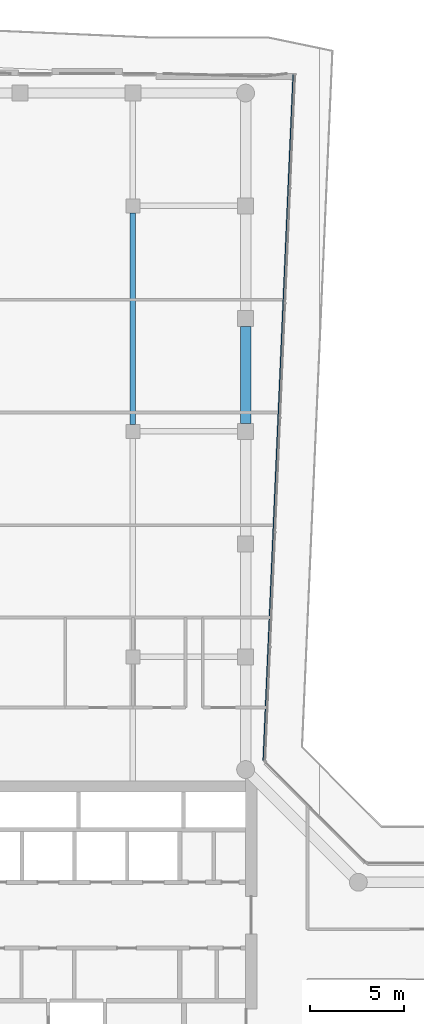
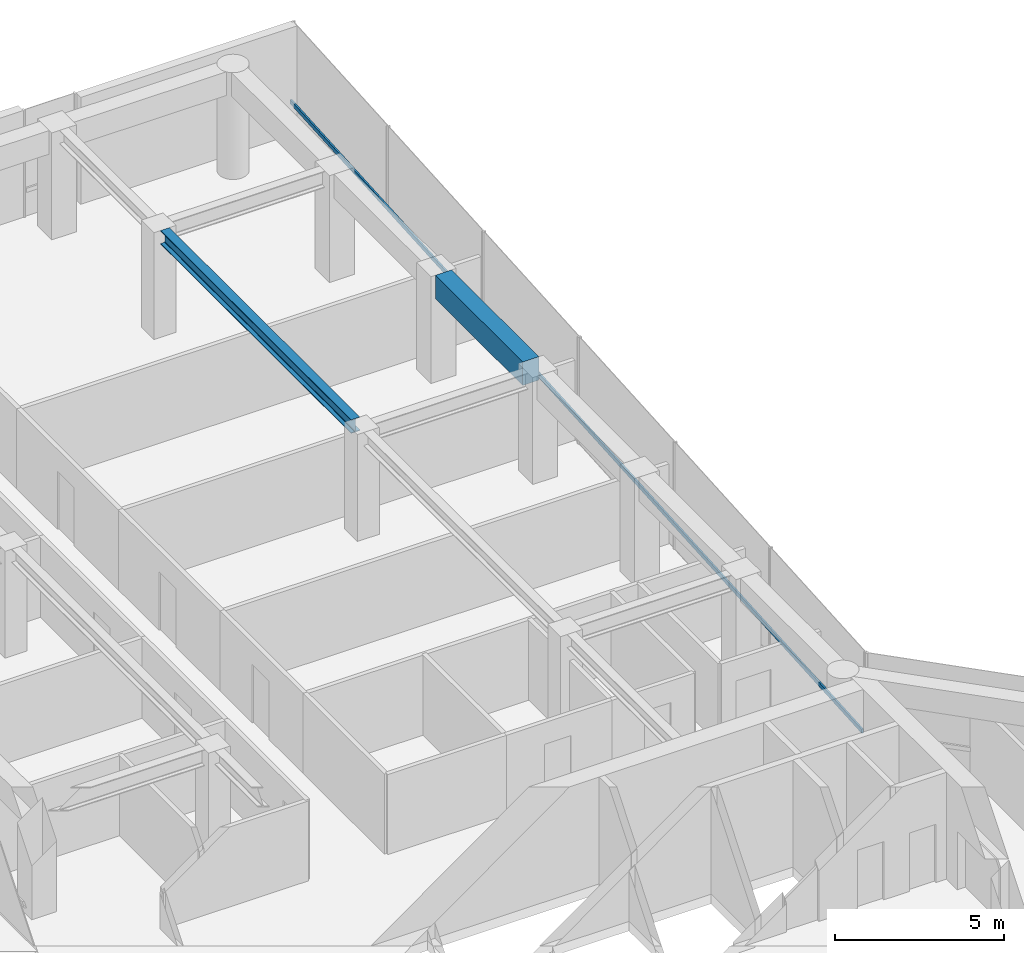
# One storey, part 13 of 21: 2 beams, 1 member, 1 element without a shape of its own.
"""IFC4 building model written with IfcOpenShell, lengths in metres."""

from ifc_helpers import new_model, si_unit, direction, frame, origin, origin_2d, place, context, subcontext, project, spatial, rectangle, i_section, extrude, material, layer, layer_set, material_profile, profile_set, type_object, element, aggregate, save


model = new_model("IFC4")

# Units and contexts
model_context = context("Model", 3, precision=1e-05, world=origin(), true_north=direction((0.0, 1.0)))
body_context = subcontext(model_context, "Body", "Model", "MODEL_VIEW")
ifc_project = project(units=[si_unit("LENGTHUNIT", "METRE"), si_unit("AREAUNIT", "SQUARE_METRE"), si_unit("VOLUMEUNIT", "CUBIC_METRE"), si_unit("PLANEANGLEUNIT", "RADIAN"), si_unit("MASSUNIT", "GRAM", prefix="KILO")], contexts=[model_context])

# Site, building, storey
site_placement = place(None, origin())
site = spatial("IfcSite", under=ifc_project, at=site_placement, CompositionType="ELEMENT")
building_placement = place(site_placement, origin())
building = spatial("IfcBuilding", under=site, at=building_placement, Name="Welwitschia Terrace Campus", CompositionType="ELEMENT")
storey_placement = place(building_placement, frame((0.0, 0.0, 159.199951171875)))
storey = spatial("IfcBuildingStorey", under=building, at=storey_placement, Name="L35", CompositionType="ELEMENT", Elevation=159.199951171875)

# Beams
ifc_material_1 = material(Name="Steel S355", Category="steel")
ifc_material_profile_1 = material_profile(ifc_material_1, i_section(OverallWidth=0.300048828125, OverallDepth=0.489990234375, WebThickness=0.011962890625, FlangeThickness=0.02294921875, FilletRadius=0.027099609375, at=origin_2d()))
ifc_profile_set_1 = profile_set([ifc_material_profile_1], Name="Steel S355")
beam_type_1 = type_object("IfcBeamType", Name="Interior girder HE 500 A", PredefinedType="BEAM", material=ifc_profile_set_1)
beam_1_placement = place(storey_placement, frame((18.0, 44.37548828125, 3.60498046875), z_axis=(0.0, 1.0, 0.0), x_axis=(-1.0, 0.0, 0.0)))
element("IfcBeam", 1, at=beam_1_placement, inside=storey, type_object=beam_type_1, Name="Girder GB4", PredefinedType="BEAM", context=body_context, shape_type="SweptSolid", body=[
    extrude(i_section(OverallWidth=0.300048828125, OverallDepth=0.489990234375, WebThickness=0.011962890625, FlangeThickness=0.02294921875, FilletRadius=0.027099609375, at=origin_2d()), origin(), (0.0, 0.0, 1.0), 11.2490234375),
])
ifc_material_2 = material(Name="Concrete C50/60", Category="concrete")
ifc_material_profile_2 = material_profile(ifc_material_2, rectangle(XDim=0.550048828125, YDim=0.85009765625, at=origin_2d()))
ifc_profile_set_2 = profile_set([ifc_material_profile_2], Name="Concrete C50/60")
beam_type_2 = type_object("IfcBeamType", Name="Ring spandrel 550x850", PredefinedType="SPANDREL", material=ifc_profile_set_2)
beam_2_placement = place(storey_placement, frame((24.0, 44.425537109375, 3.425048828125), z_axis=(0.0, 1.0, 0.0), x_axis=(-1.0, 0.0, 0.0)))
element("IfcBeam", 2, at=beam_2_placement, inside=storey, type_object=beam_type_2, Name="Spandrel SP3", PredefinedType="SPANDREL", context=body_context, shape_type="SweptSolid", body=[
    extrude(rectangle(XDim=0.550048828125, YDim=0.85009765625, at=origin_2d()), origin(), (0.0, 0.0, 1.0), 5.14892578125),
])

# Curtain wall, member
ifc_material_3 = material(Name="Bronze anodised aluminium", Category="aluminium")
ifc_layer = layer(ifc_material_3, 0.1201171875)
ifc_layer_set = layer_set([ifc_layer], Name="Bronze anodised aluminium")
curtain_wall_type = type_object("IfcCurtainWallType", Name="Curtain wall CW2 tower 6000", PredefinedType="NOTDEFINED", material=ifc_layer_set)
curtain_wall_placement = place(storey_placement, origin())
curtain_wall = element("IfcCurtainWall", 3, at=curtain_wall_placement, inside=storey, type_object=curtain_wall_type, Name="CW L35.9.0", PredefinedType="NOTDEFINED")
ifc_material_4 = material(Name="Bronze anodised aluminium", Category="aluminium")
ifc_material_profile_3 = material_profile(ifc_material_4, rectangle(XDim=0.06005859375, YDim=0.14990234375, at=origin_2d()))
ifc_profile_set_3 = profile_set([ifc_material_profile_3], Name="Bronze anodised aluminium")
member_type = type_object("IfcMemberType", Name="Transom 60x150", PredefinedType="USERDEFINED", material=ifc_profile_set_3)
member_placement = place(storey_placement, frame((24.947998046875, 26.4853515625, 1.0), z_axis=(0.043616494844, 0.999048347868, 0.0), x_axis=(-0.999048347868, 0.043616494844, 0.0)))
member = element("IfcMember", 4, at=member_placement, type_object=member_type, Name="Transom L35.9.0", ObjectType="TRANSOM", PredefinedType="USERDEFINED", context=body_context, shape_type="SweptSolid", body=[
    extrude(rectangle(XDim=0.06005859375, YDim=0.14990234375, at=origin_2d()), origin(), (0.0, 0.0, 1.0), 36.523193359375),
])
aggregate(curtain_wall, [member])

save(model, "model.ifc")
